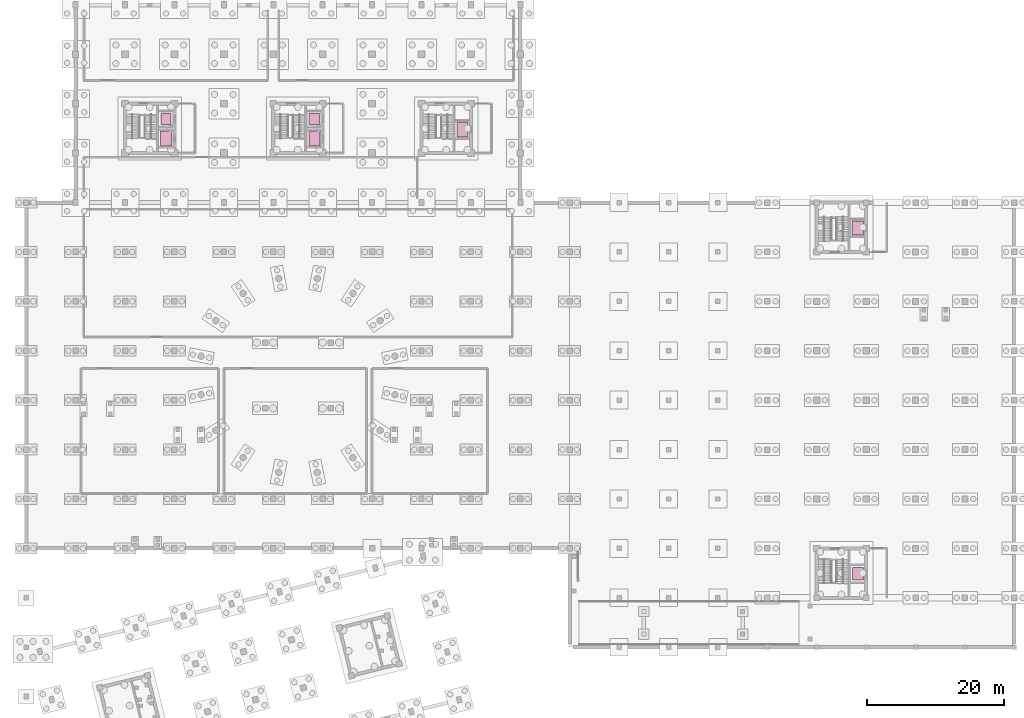
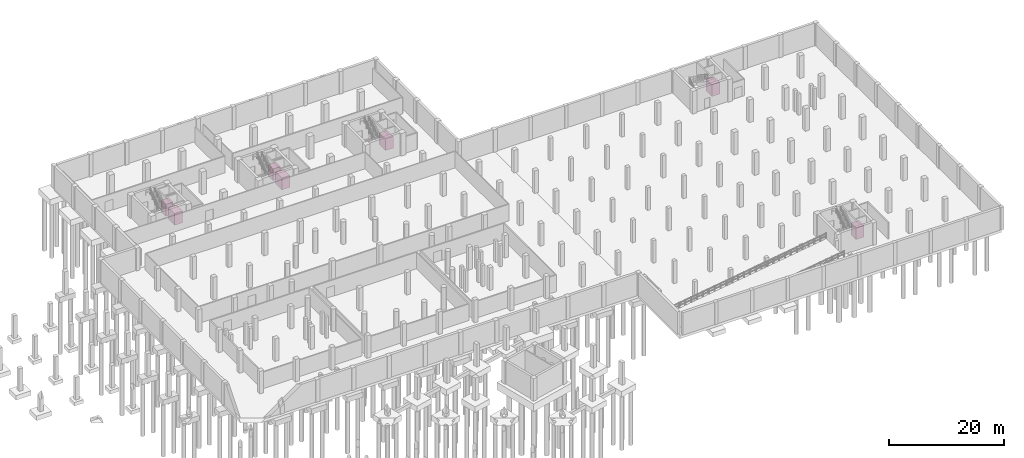
# One storey, part 19 of 19: 7 transport elements.
"""IFC4 building model written with IfcOpenShell, lengths in metres."""

from ifc_helpers import new_model, si_unit, direction, frame, origin, origin_2d, place, context, subcontext, project, spatial, rectangle, extrude, material, type_object, element, save


model = new_model("IFC4")

# Units and contexts
model_context = context("Model", 3, precision=1e-05, world=origin(), true_north=direction((0.0, 1.0)))
body_context = subcontext(model_context, "Body", "Model", "MODEL_VIEW")
ifc_project = project(units=[si_unit("LENGTHUNIT", "METRE"), si_unit("AREAUNIT", "SQUARE_METRE"), si_unit("VOLUMEUNIT", "CUBIC_METRE"), si_unit("PLANEANGLEUNIT", "RADIAN"), si_unit("MASSUNIT", "GRAM", prefix="KILO")], contexts=[model_context])

# Site, building, storey
site_placement = place(None, origin())
site = spatial("IfcSite", under=ifc_project, at=site_placement, CompositionType="ELEMENT")
building_placement = place(site_placement, origin())
building = spatial("IfcBuilding", under=site, at=building_placement, Name="Qiaolan Assembly House", CompositionType="ELEMENT")
storey_placement = place(building_placement, frame((0.0, 0.0, -4.800048828125)))
storey = spatial("IfcBuildingStorey", under=building, at=storey_placement, Name="B1", CompositionType="ELEMENT", Elevation=-4.800048828125)

# Transport elements
ifc_material = material(Name="Anodised bronze aluminium", Category="aluminium")
transport_element_type_1 = type_object("IfcTransportElementType", Name="LIFT-FIRE-1600", PredefinedType="ELEVATOR", material=ifc_material)
for number, where, z_axis, x_axis, name in (
    (1, (49.175048828125, 95.72509765625, 0.0), (0.0, 0.0, 1.0), (1.0, 0.0, 0.0), "Firefighting & stretcher lift LF-01 (1600 kg)"),
    (2, (70.77490234375, 95.72509765625, 0.0), (0.0, 0.0, 1.0), (1.0, 0.0, 0.0), "Firefighting & stretcher lift LF-03 (1600 kg)"),
    (3, (92.375, 97.02490234375, 0.0), (0.0, 0.0, 1.0), (1.0, 0.0, 0.0), "Firefighting & stretcher lift LF-05 (1600 kg)"),
):
    element("IfcTransportElement", number, at=place(storey_placement, frame(where, z_axis=z_axis, x_axis=x_axis)), inside=storey, type_object=transport_element_type_1, Name=name, PredefinedType="ELEVATOR", context=body_context, shape_type="SweptSolid", body=[
        extrude(rectangle(XDim=1.60009765625, YDim=2.199951171875, at=origin_2d()), origin(), (0.0, 0.0, 1.0), 2.5),
    ])
transport_element_type_2 = type_object("IfcTransportElementType", Name="LIFT-GOODS-2000", PredefinedType="ELEVATOR", material=ifc_material)
transport_element_1_placement = place(storey_placement, frame((149.97509765625, 82.699951171875, 0.0), z_axis=(0.0, 0.0, 1.0), x_axis=(1.0, 0.0, 0.0)))
element("IfcTransportElement", 4, at=transport_element_1_placement, inside=storey, type_object=transport_element_type_2, Name="Accessible passenger lift LF-10 (2000 kg)", PredefinedType="ELEVATOR", context=body_context, shape_type="SweptSolid", body=[
    extrude(rectangle(XDim=1.64990234375, YDim=2.0, at=origin_2d()), origin(), (0.0, 0.0, 1.0), 2.5),
])
transport_element_type_3 = type_object("IfcTransportElementType", Name="LIFT-PASS-1350", PredefinedType="ELEVATOR", material=ifc_material)
for number, where, z_axis, x_axis, name in (
    (5, (49.175048828125, 98.60009765625, 0.0), (0.0, 0.0, 1.0), (1.0, 0.0, 0.0), "Accessible passenger lift LF-02 (1350 kg)"),
    (6, (70.77490234375, 98.60009765625, 0.0), (0.0, 0.0, 1.0), (1.0, 0.0, 0.0), "Accessible passenger lift LF-04 (1350 kg)"),
):
    element("IfcTransportElement", number, at=place(storey_placement, frame(where, z_axis=z_axis, x_axis=x_axis)), inside=storey, type_object=transport_element_type_3, Name=name, PredefinedType="ELEVATOR", context=body_context, shape_type="SweptSolid", body=[
        extrude(rectangle(XDim=1.5, YDim=1.60009765625, at=origin_2d()), origin(), (0.0, 0.0, 1.0), 2.5),
    ])
transport_element_2_placement = place(storey_placement, frame((149.97509765625, 32.300048828125, 0.0), z_axis=(0.0, 0.0, 1.0), x_axis=(1.0, 0.0, 0.0)))
element("IfcTransportElement", 7, at=transport_element_2_placement, inside=storey, type_object=transport_element_type_3, Name="Accessible passenger lift LF-09 (1350 kg)", PredefinedType="ELEVATOR", context=body_context, shape_type="SweptSolid", body=[
    extrude(rectangle(XDim=1.60009765625, YDim=1.800048828125, at=origin_2d()), origin(), (0.0, 0.0, 1.0), 2.5),
])

save(model, "model.ifc")
